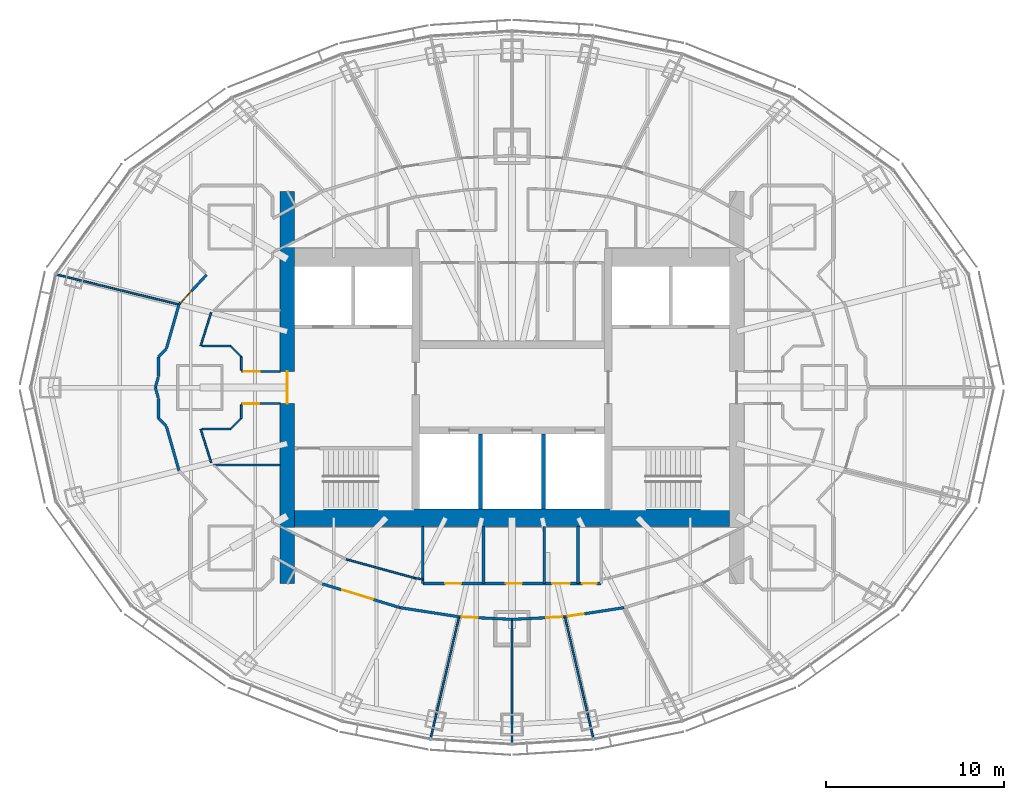
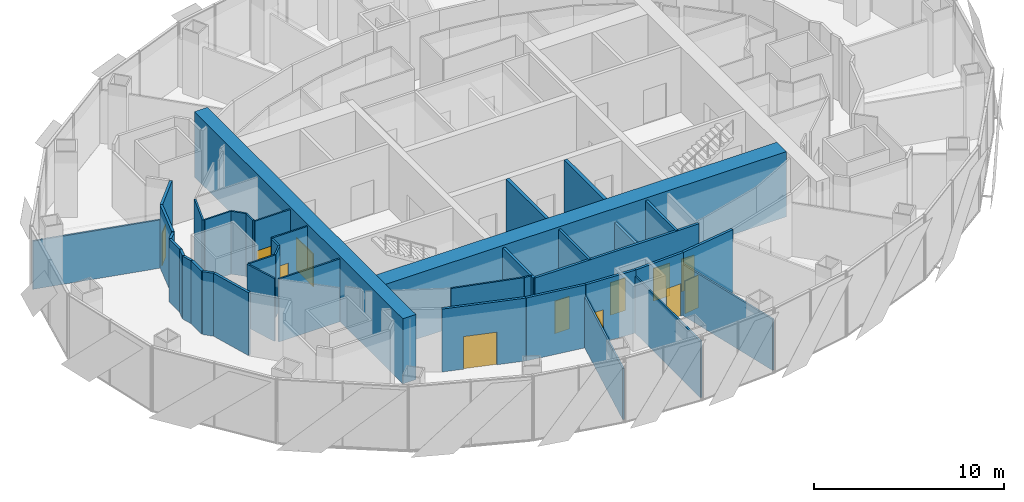
# One storey, part 12 of 19: 40 walls, 12 doors, 12 openings.
"""IFC4 building model written with IfcOpenShell, lengths in metres."""

from ifc_helpers import new_model, si_unit, direction, frame, frame_2d, origin, place, context, subcontext, project, spatial, rectangle, extrude, material, layer, layer_set, type_object, element, fill, save


model = new_model("IFC4")

# Units and contexts
model_context = context("Model", 3, precision=1e-05, world=origin(), true_north=direction((0.0, 1.0)))
body_context = subcontext(model_context, "Body", "Model", "MODEL_VIEW")
ifc_project = project(units=[si_unit("LENGTHUNIT", "METRE"), si_unit("AREAUNIT", "SQUARE_METRE"), si_unit("VOLUMEUNIT", "CUBIC_METRE"), si_unit("PLANEANGLEUNIT", "RADIAN"), si_unit("MASSUNIT", "GRAM", prefix="KILO")], contexts=[model_context])

# Site, building, storey
site_placement = place(None, origin())
site = spatial("IfcSite", under=ifc_project, at=site_placement, CompositionType="ELEMENT")
building_placement = place(site_placement, origin())
building = spatial("IfcBuilding", under=site, at=building_placement, Name="Lantaw Convention Tower", CompositionType="ELEMENT")
storey_placement = place(building_placement, frame((0.0, 0.0, 249.39990234375)))
storey = spatial("IfcBuildingStorey", under=building, at=storey_placement, Name="L58", CompositionType="ELEMENT", Elevation=249.39990234375)

# Wall
ifc_material_1 = material(Name="Concrete C60/75", Category="concrete")
ifc_layer_1 = layer(ifc_material_1, 1.0)
ifc_layer_set_1 = layer_set([ifc_layer_1], Name="Core wall 1000")
wall_type_1 = type_object("IfcWallType", Name="Core wall 1000", PredefinedType="SHEAR", material=ifc_layer_set_1)
wall_1_placement = place(storey_placement, frame((-12.199951171875, -7.300048828125, 0.0), z_axis=(0.0, 0.0, 1.0), x_axis=(1.0, 0.0, 0.0)))
element("IfcWall", 1, at=wall_1_placement, inside=storey, type_object=wall_type_1, Name="Core wall S", PredefinedType="SHEAR", context=body_context, shape_type="SweptSolid", body=[
    extrude(rectangle(XDim=24.39990234375, YDim=1.0, at=frame_2d((12.199951171875, 0.0))), origin(), (0.0, 0.0, 1.0), 4.2001953125),
])

# Wall, opening, door
ifc_layer_2 = layer(ifc_material_1, 0.800048828125)
ifc_layer_set_2 = layer_set([ifc_layer_2], Name="Core wall 800")
wall_type_2 = type_object("IfcWallType", Name="Core wall 800", PredefinedType="SHEAR", material=ifc_layer_set_2)
wall_2_placement = place(storey_placement, frame((-12.60009765625, 11.0, 0.0), z_axis=(0.0, 0.0, 1.0), x_axis=(0.0, -1.0, 0.0)))
wall_2 = element("IfcWall", 2, at=wall_2_placement, inside=storey, type_object=wall_type_2, Name="Core wall W", PredefinedType="SHEAR", context=body_context, shape_type="SweptSolid", body=[
    extrude(rectangle(XDim=22.0, YDim=0.800048828125, at=frame_2d((11.0, 0.0))), origin(), (0.0, 0.0, 1.0), 4.2001953125),
])
opening_1_placement = place(wall_2_placement, frame((10.10009765625, 0.0, 0.0)))
opening_1 = element("IfcOpeningElement", 3, at=opening_1_placement, cuts=wall_2, Name="Opening L58.06", PredefinedType="OPENING", context=body_context, shape_type="SweptSolid", body=[
    extrude(rectangle(XDim=1.800048828125, YDim=2.10009765625, at=frame_2d((0.89990234375, 1.050048828125))), frame((0.0, 0.409912109375, 0.0), z_axis=(0.0, -1.0, 0.0), x_axis=(1.0, 0.0, 0.0)), (0.0, 0.0, 1.0), 0.820068359375),
])
ifc_material_2 = material(Name="Steel, fire rated", Category="steel")
door_type_1 = type_object("IfcDoorType", Name="Lobby double door FD90", OperationType="DOUBLE_DOOR_DOUBLE_SWING", PredefinedType="DOOR", material=ifc_material_2)
door_1_placement = place(opening_1_placement, origin())
door_1 = element("IfcDoor", 4, at=door_1_placement, inside=storey, type_object=door_type_1, Name="Firefighting lobby door", OperationType="DOUBLE_DOOR_DOUBLE_SWING", OverallHeight=2.10009765625, OverallWidth=1.800048828125, PredefinedType="DOOR", context=body_context, shape_type="SweptSolid", body=[
    extrude(rectangle(XDim=1.800048828125, YDim=2.10009765625, at=frame_2d((0.89990234375, 1.050048828125))), frame((0.0, 0.02490234375, 0.0), z_axis=(0.0, -1.0, 0.0), x_axis=(1.0, 0.0, 0.0)), (0.0, 0.0, 1.0), 0.050048828125),
])
fill(opening_1, door_1)

ifc_material_3 = material(Name="Gypsum board on steel studs, fire rated", Category="steel")
ifc_layer_3 = layer(ifc_material_3, 0.14990234375)
ifc_layer_set_3 = layer_set([ifc_layer_3], Name="Corridor wall 150 EI 60")
wall_type_3 = type_object("IfcWallType", Name="Corridor wall 150 EI 60", PredefinedType="PARTITIONING", material=ifc_layer_set_3)
wall_3_placement = place(storey_placement, frame((-10.6328125, -11.010498046875, 0.0), z_axis=(0.0, 0.0, 1.0), x_axis=(0.956185837153, -0.292760388079, 0.0)))
wall_3 = element("IfcWall", 5, at=wall_3_placement, inside=storey, type_object=wall_type_3, Name="Corridor wall 150", PredefinedType="PARTITIONING", context=body_context, shape_type="SweptSolid", body=[
    extrude(rectangle(XDim=4.5439453125, YDim=0.14990234375, at=frame_2d((2.27197265625, 0.0))), origin(), (0.0, 0.0, 1.0), 4.050048828125),
])
opening_2_placement = place(wall_3_placement, frame((1.168212890625, 0.0, 0.0)))
opening_2 = element("IfcOpeningElement", 6, at=opening_2_placement, cuts=wall_3, Name="Opening L58.44", PredefinedType="OPENING", context=body_context, shape_type="SweptSolid", body=[
    extrude(rectangle(XDim=1.800048828125, YDim=2.10009765625, at=frame_2d((0.89990234375, 1.050048828125))), frame((0.0, 0.0849609375, 0.0), z_axis=(0.0, -1.0, 0.0), x_axis=(1.0, 0.0, 0.0)), (0.0, 0.0, 1.0), 0.169921875),
])
door_type_2 = type_object("IfcDoorType", Name="Office double door 1800 FD30", OperationType="DOUBLE_DOOR_DOUBLE_SWING", PredefinedType="DOOR", material=ifc_material_2)
door_2_placement = place(opening_2_placement, origin())
door_2 = element("IfcDoor", 7, at=door_2_placement, inside=storey, type_object=door_type_2, Name="Open office door", OperationType="DOUBLE_DOOR_DOUBLE_SWING", OverallHeight=2.10009765625, OverallWidth=1.800048828125, PredefinedType="DOOR", context=body_context, shape_type="SweptSolid", body=[
    extrude(rectangle(XDim=1.800048828125, YDim=2.10009765625, at=frame_2d((0.89990234375, 1.050048828125))), frame((0.0, 0.02490234375, 0.0), z_axis=(0.0, -1.0, 0.0), x_axis=(1.0, 0.0, 0.0)), (0.0, 0.0, 1.0), 0.050048828125),
])
fill(opening_2, door_2)

# Wall
wall_4_placement = place(storey_placement, frame((-6.287841796875, -12.3408203125, 0.0), z_axis=(0.0, 0.0, 1.0), x_axis=(0.988174283057, -0.153334882869, 0.0)))
element("IfcWall", 8, at=wall_4_placement, inside=storey, type_object=wall_type_3, Name="Corridor wall 150", PredefinedType="PARTITIONING", context=body_context, shape_type="SweptSolid", body=[
    extrude(rectangle(XDim=3.359619140625, YDim=0.14990234375, at=frame_2d((1.6796875, 0.0))), origin(), (0.0, 0.0, 1.0), 4.050048828125),
])

# Wall, opening, door
wall_5_placement = place(storey_placement, frame((-2.968017578125, -12.85595703125, 0.0), z_axis=(0.0, 0.0, 1.0), x_axis=(0.998824412818, -0.04847465687, 0.0)))
wall_5 = element("IfcWall", 9, at=wall_5_placement, inside=storey, type_object=wall_type_3, Name="Corridor wall 150", PredefinedType="PARTITIONING", context=body_context, shape_type="SweptSolid", body=[
    extrude(rectangle(XDim=2.971435546875, YDim=0.14990234375, at=frame_2d((1.48583984375, 0.0))), origin(), (0.0, 0.0, 1.0), 4.050048828125),
])
opening_3_placement = place(wall_5_placement, frame((0.14990234375, 0.0, 0.0)))
opening_3 = element("IfcOpeningElement", 10, at=opening_3_placement, cuts=wall_5, Name="Opening L58.45", PredefinedType="OPENING", context=body_context, shape_type="SweptSolid", body=[
    extrude(rectangle(XDim=0.89990234375, YDim=2.10009765625, at=frame_2d((0.449951171875, 1.050048828125))), frame((0.0, 0.0849609375, 0.0), z_axis=(0.0, -1.0, 0.0), x_axis=(1.0, 0.0, 0.0)), (0.0, 0.0, 1.0), 0.169921875),
])
door_type_3 = type_object("IfcDoorType", Name="Office door 900 FD30", OperationType="SINGLE_SWING_LEFT", PredefinedType="DOOR", material=ifc_material_2)
door_3_placement = place(opening_3_placement, origin())
door_3 = element("IfcDoor", 11, at=door_3_placement, inside=storey, type_object=door_type_3, Name="Private office door", OperationType="SINGLE_SWING_LEFT", OverallHeight=2.10009765625, OverallWidth=0.89990234375, PredefinedType="DOOR", context=body_context, shape_type="SweptSolid", body=[
    extrude(rectangle(XDim=0.89990234375, YDim=2.10009765625, at=frame_2d((0.449951171875, 1.050048828125))), frame((0.0, 0.02490234375, 0.0), z_axis=(0.0, -1.0, 0.0), x_axis=(1.0, 0.0, 0.0)), (0.0, 0.0, 1.0), 0.050048828125),
])
fill(opening_3, door_3)

wall_6_placement = place(storey_placement, frame((0.0, -13.0, 0.0), z_axis=(0.0, 0.0, 1.0), x_axis=(0.998824412818, 0.04847465687, 0.0)))
wall_6 = element("IfcWall", 12, at=wall_6_placement, inside=storey, type_object=wall_type_3, Name="Corridor wall 150", PredefinedType="PARTITIONING", context=body_context, shape_type="SweptSolid", body=[
    extrude(rectangle(XDim=2.971435546875, YDim=0.14990234375, at=frame_2d((1.48583984375, 0.0))), origin(), (0.0, 0.0, 1.0), 4.050048828125),
])
opening_4_placement = place(wall_6_placement, frame((1.92138671875, 0.0, 0.0)))
opening_4 = element("IfcOpeningElement", 13, at=opening_4_placement, cuts=wall_6, Name="Opening L58.46", PredefinedType="OPENING", context=body_context, shape_type="SweptSolid", body=[
    extrude(rectangle(XDim=0.89990234375, YDim=2.10009765625, at=frame_2d((0.449951171875, 1.050048828125))), frame((0.0, 0.0849609375, 0.0), z_axis=(0.0, -1.0, 0.0), x_axis=(1.0, 0.0, 0.0)), (0.0, 0.0, 1.0), 0.169921875),
])
door_4_placement = place(opening_4_placement, origin())
door_4 = element("IfcDoor", 14, at=door_4_placement, inside=storey, type_object=door_type_3, Name="Private office door", OperationType="SINGLE_SWING_LEFT", OverallHeight=2.10009765625, OverallWidth=0.89990234375, PredefinedType="DOOR", context=body_context, shape_type="SweptSolid", body=[
    extrude(rectangle(XDim=0.89990234375, YDim=2.10009765625, at=frame_2d((0.449951171875, 1.050048828125))), frame((0.0, 0.02490234375, 0.0), z_axis=(0.0, -1.0, 0.0), x_axis=(1.0, 0.0, 0.0)), (0.0, 0.0, 1.0), 0.050048828125),
])
fill(opening_4, door_4)

wall_7_placement = place(storey_placement, frame((2.968017578125, -12.85595703125, 0.0), z_axis=(0.0, 0.0, 1.0), x_axis=(0.988174283057, 0.153334882869, 0.0)))
wall_7 = element("IfcWall", 15, at=wall_7_placement, inside=storey, type_object=wall_type_3, Name="Corridor wall 150", PredefinedType="PARTITIONING", context=body_context, shape_type="SweptSolid", body=[
    extrude(rectangle(XDim=3.359619140625, YDim=0.14990234375, at=frame_2d((1.6796875, 0.0))), origin(), (0.0, 0.0, 1.0), 4.050048828125),
])
opening_5_placement = place(wall_7_placement, frame((0.14990234375, 0.0, 0.0)))
opening_5 = element("IfcOpeningElement", 16, at=opening_5_placement, cuts=wall_7, Name="Opening L58.47", PredefinedType="OPENING", context=body_context, shape_type="SweptSolid", body=[
    extrude(rectangle(XDim=0.89990234375, YDim=2.10009765625, at=frame_2d((0.449951171875, 1.050048828125))), frame((0.0, 0.0849609375, 0.0), z_axis=(0.0, -1.0, 0.0), x_axis=(1.0, 0.0, 0.0)), (0.0, 0.0, 1.0), 0.169921875),
])
door_5_placement = place(opening_5_placement, origin())
door_5 = element("IfcDoor", 17, at=door_5_placement, inside=storey, type_object=door_type_3, Name="Private office door", OperationType="SINGLE_SWING_LEFT", OverallHeight=2.10009765625, OverallWidth=0.89990234375, PredefinedType="DOOR", context=body_context, shape_type="SweptSolid", body=[
    extrude(rectangle(XDim=0.89990234375, YDim=2.10009765625, at=frame_2d((0.449951171875, 1.050048828125))), frame((0.0, 0.02490234375, 0.0), z_axis=(0.0, -1.0, 0.0), x_axis=(1.0, 0.0, 0.0)), (0.0, 0.0, 1.0), 0.050048828125),
])
fill(opening_5, door_5)

# Walls
wall_8_placement = place(storey_placement, frame((-18.67333984375, 4.65576171875, 0.0), z_axis=(0.0, 0.0, 1.0), x_axis=(-0.274067949327, -0.961710330168, 0.0)))
element("IfcWall", 18, at=wall_8_placement, inside=storey, type_object=wall_type_3, Name="Corridor wall 150", PredefinedType="PARTITIONING", context=body_context, shape_type="SweptSolid", body=[
    extrude(rectangle(XDim=2.5673828125, YDim=0.14990234375, at=frame_2d((1.28369140625, 0.0))), origin(), (0.0, 0.0, 1.0), 4.050048828125),
])
for number, where, z_axis, x_axis, name in (
    (19, (-19.8349609375, 0.5791015625, 0.0), (0.0, 0.0, 1.0), (-0.27407847996, -0.961707329089, 0.0), "Corridor wall 150"),
    (20, (-20.0, 0.0, 0.0), (0.0, 0.0, 1.0), (0.27407847996, -0.961707329089, 0.0), "Corridor wall 150"),
):
    element("IfcWall", number, at=place(storey_placement, frame(where, z_axis=z_axis, x_axis=x_axis)), inside=storey, type_object=wall_type_3, Name=name, PredefinedType="PARTITIONING", context=body_context, shape_type="SweptSolid", body=[
        extrude(rectangle(XDim=0.60205078125, YDim=0.14990234375, at=frame_2d((0.301025390625, 0.0))), origin(), (0.0, 0.0, 1.0), 4.050048828125),
    ])
wall_9_placement = place(storey_placement, frame((-19.376953125, -2.186767578125, 0.0), z_axis=(0.0, 0.0, 1.0), x_axis=(0.274067949327, -0.961710330168, 0.0)))
element("IfcWall", 21, at=wall_9_placement, inside=storey, type_object=wall_type_3, Name="Corridor wall 150", PredefinedType="PARTITIONING", context=body_context, shape_type="SweptSolid", body=[
    extrude(rectangle(XDim=2.5673828125, YDim=0.14990234375, at=frame_2d((1.28369140625, 0.0))), origin(), (0.0, 0.0, 1.0), 4.050048828125),
])
for number, where, z_axis, x_axis, name in (
    (22, (-19.824951171875, -1.724609375, 0.0), (0.0, 0.0, 1.0), (0.0, 1.0, 0.0), "Corridor wall 150"),
    (23, (-19.824951171875, 0.607421875, 0.0), (0.0, 0.0, 1.0), (0.0, 1.0, 0.0), "Corridor wall 150"),
):
    element("IfcWall", number, at=place(storey_placement, frame(where, z_axis=z_axis, x_axis=x_axis)), inside=storey, type_object=wall_type_3, Name=name, PredefinedType="PARTITIONING", context=body_context, shape_type="SweptSolid", body=[
        extrude(rectangle(XDim=1.1171875, YDim=0.14990234375, at=frame_2d((0.55859375, 0.0))), origin(), (0.0, 0.0, 1.0), 4.050048828125),
    ])
for number, where, z_axis, x_axis, name in (
    (24, (-19.824951171875, 1.724609375, 0.0), (0.0, 0.0, 1.0), (0.707106781187, 0.707106781187, 0.0), "Corridor wall 150"),
    (25, (-19.39013671875, -2.159423828125, 0.0), (0.0, 0.0, 1.0), (-0.707106781187, 0.707106781187, 0.0), "Corridor wall 150"),
):
    element("IfcWall", number, at=place(storey_placement, frame(where, z_axis=z_axis, x_axis=x_axis)), inside=storey, type_object=wall_type_3, Name=name, PredefinedType="PARTITIONING", context=body_context, shape_type="SweptSolid", body=[
        extrude(rectangle(XDim=0.614990234375, YDim=0.14990234375, at=frame_2d((0.3076171875, 0.0))), origin(), (0.0, 0.0, 1.0), 4.050048828125),
    ])

# Wall, opening, door
wall_10_placement = place(storey_placement, frame((-17.121337890625, 6.32470703125, 0.0), z_axis=(0.0, 0.0, 1.0), x_axis=(-0.680985069419, -0.732297299755, 0.0)))
wall_10 = element("IfcWall", 26, at=wall_10_placement, inside=storey, type_object=wall_type_3, Name="Corridor wall 150", PredefinedType="PARTITIONING", context=body_context, shape_type="SweptSolid", body=[
    extrude(rectangle(XDim=2.279052734375, YDim=0.14990234375, at=frame_2d((1.1396484375, 0.0))), origin(), (0.0, 0.0, 1.0), 4.050048828125),
])
opening_6_placement = place(wall_10_placement, frame((1.25, 0.0, 0.0)))
opening_6 = element("IfcOpeningElement", 27, at=opening_6_placement, cuts=wall_10, Name="Opening L58.43", PredefinedType="OPENING", context=body_context, shape_type="SweptSolid", body=[
    extrude(rectangle(XDim=0.89990234375, YDim=2.10009765625, at=frame_2d((0.449951171875, 1.050048828125))), frame((0.0, 0.0849609375, 0.0), z_axis=(0.0, -1.0, 0.0), x_axis=(1.0, 0.0, 0.0)), (0.0, 0.0, 1.0), 0.169921875),
])
door_6_placement = place(opening_6_placement, origin())
door_6 = element("IfcDoor", 28, at=door_6_placement, inside=storey, type_object=door_type_3, Name="Meeting room door", OperationType="SINGLE_SWING_LEFT", OverallHeight=2.10009765625, OverallWidth=0.89990234375, PredefinedType="DOOR", context=body_context, shape_type="SweptSolid", body=[
    extrude(rectangle(XDim=0.89990234375, YDim=2.10009765625, at=frame_2d((0.449951171875, 1.050048828125))), frame((0.0, 0.02490234375, 0.0), z_axis=(0.0, -1.0, 0.0), x_axis=(1.0, 0.0, 0.0)), (0.0, 0.0, 1.0), 0.050048828125),
])
fill(opening_6, door_6)

# Walls
ifc_material_4 = material(Name="Gypsum board on steel studs, acoustic", Category="steel")
ifc_layer_4 = layer(ifc_material_4, 0.10009765625)
ifc_layer_set_4 = layer_set([ifc_layer_4], Name="Office partition 100")
wall_type_4 = type_object("IfcWallType", Name="Office partition 100", PredefinedType="PARTITIONING", material=ifc_layer_set_4)
wall_11_placement = place(storey_placement, frame((-25.54296875, 6.33544921875, 0.0), z_axis=(0.0, 0.0, 1.0), x_axis=(0.971384494438, -0.237512450129, 0.0)))
element("IfcWall", 29, at=wall_11_placement, inside=storey, type_object=wall_type_4, Name="Office partition 100", PredefinedType="PARTITIONING", context=body_context, shape_type="SweptSolid", body=[
    extrude(rectangle(XDim=7.072021484375, YDim=0.10009765625, at=frame_2d((3.5361328125, 0.0))), origin(), (0.0, 0.0, 1.0), 3.107666015625),
])
wall_12_placement = place(storey_placement, frame((-4.5556640625, -19.65673828125, 0.0), z_axis=(0.0, 0.0, 1.0), x_axis=(0.22733791689, 0.973815933092, 0.0)))
element("IfcWall", 30, at=wall_12_placement, inside=storey, type_object=wall_type_4, Name="Office partition 100", PredefinedType="PARTITIONING", context=body_context, shape_type="SweptSolid", body=[
    extrude(rectangle(XDim=6.983642578125, YDim=0.10009765625, at=frame_2d((3.49169921875, 0.0))), origin(), (0.0, 0.0, 1.0), 3.293212890625),
])
wall_13_placement = place(storey_placement, frame((0.0, -19.94482421875, 0.0), z_axis=(0.0, 0.0, 1.0), x_axis=(0.0, 1.0, 0.0)))
element("IfcWall", 31, at=wall_13_placement, inside=storey, type_object=wall_type_4, Name="Office partition 100", PredefinedType="PARTITIONING", context=body_context, shape_type="SweptSolid", body=[
    extrude(rectangle(XDim=6.94482421875, YDim=0.10009765625, at=frame_2d((3.472412109375, 0.0))), origin(), (0.0, 0.0, 1.0), 3.643798828125),
])
wall_14_placement = place(storey_placement, frame((4.5556640625, -19.65673828125, 0.0), z_axis=(0.0, 0.0, 1.0), x_axis=(-0.22733791689, 0.973815933092, 0.0)))
element("IfcWall", 32, at=wall_14_placement, inside=storey, type_object=wall_type_4, Name="Office partition 100", PredefinedType="PARTITIONING", context=body_context, shape_type="SweptSolid", body=[
    extrude(rectangle(XDim=6.983642578125, YDim=0.10009765625, at=frame_2d((3.49169921875, 0.0))), origin(), (0.0, 0.0, 1.0), 3.293212890625),
])
wall_15_placement = place(storey_placement, frame((-16.729248046875, -4.340087890625, 0.0), z_axis=(0.0, 0.0, 1.0), x_axis=(1.0, 0.0, 0.0)))
element("IfcWall", 33, at=wall_15_placement, inside=storey, type_object=wall_type_4, Name="Office partition 100", PredefinedType="PARTITIONING", context=body_context, shape_type="SweptSolid", body=[
    extrude(rectangle(XDim=3.729248046875, YDim=0.10009765625, at=frame_2d((1.86474609375, 0.0))), origin(), (0.0, 0.0, 1.0), 4.050048828125),
])
wall_16_placement = place(storey_placement, frame((-5.0, -10.7490234375, 0.0), z_axis=(0.0, 0.0, 1.0), x_axis=(-0.990442882696, 0.137923515463, 0.0)))
element("IfcWall", 34, at=wall_16_placement, inside=storey, type_object=wall_type_4, Name="Office partition 100", PredefinedType="PARTITIONING", context=body_context, shape_type="SweptSolid", body=[
    extrude(rectangle(XDim=0.44970703125, YDim=0.10009765625, at=frame_2d((0.224853515625, 0.0))), origin(), (0.0, 0.0, 1.0), 4.050048828125),
])
wall_17_placement = place(storey_placement, frame((-5.4453125, -10.68701171875, 0.0), z_axis=(0.0, 0.0, 1.0), x_axis=(-0.964244438722, 0.265014456954, 0.0)))
element("IfcWall", 35, at=wall_17_placement, inside=storey, type_object=wall_type_4, Name="Office partition 100", PredefinedType="PARTITIONING", context=body_context, shape_type="SweptSolid", body=[
    extrude(rectangle(XDim=3.995361328125, YDim=0.10009765625, at=frame_2d((1.99755859375, 0.0))), origin(), (0.0, 0.0, 1.0), 4.050048828125),
])
wall_18_placement = place(storey_placement, frame((-16.8681640625, -4.205810546875, 0.0), z_axis=(0.0, 0.0, 1.0), x_axis=(-0.301821975729, 0.953364303384, 0.0)))
element("IfcWall", 36, at=wall_18_placement, inside=storey, type_object=wall_type_4, Name="Office partition 100", PredefinedType="PARTITIONING", context=body_context, shape_type="SweptSolid", body=[
    extrude(rectangle(XDim=1.96240234375, YDim=0.10009765625, at=frame_2d((0.981201171875, 0.0))), origin(), (0.0, 0.0, 1.0), 4.050048828125),
])

# Wall, opening, door
wall_19_placement = place(storey_placement, frame((-15.1650390625, -0.89990234375, 0.0), z_axis=(0.0, 0.0, 1.0), x_axis=(1.0, 0.0, 0.0)))
wall_19 = element("IfcWall", 37, at=wall_19_placement, inside=storey, type_object=wall_type_4, Name="Office partition 100", PredefinedType="PARTITIONING", context=body_context, shape_type="SweptSolid", body=[
    extrude(rectangle(XDim=2.1650390625, YDim=0.10009765625, at=frame_2d((1.08251953125, 0.0))), origin(), (0.0, 0.0, 1.0), 4.050048828125),
])
opening_7_placement = place(wall_19_placement, frame((0.10009765625, 0.0, 0.0)))
opening_7 = element("IfcOpeningElement", 38, at=opening_7_placement, cuts=wall_19, Name="Opening L58.23", PredefinedType="OPENING", context=body_context, shape_type="SweptSolid", body=[
    extrude(rectangle(XDim=0.89990234375, YDim=2.10009765625, at=frame_2d((0.449951171875, 1.050048828125))), frame((0.0, 0.06005859375, 0.0), z_axis=(0.0, -1.0, 0.0), x_axis=(1.0, 0.0, 0.0)), (0.0, 0.0, 1.0), 0.1201171875),
])
ifc_material_5 = material(Name="Timber", Category="wood")
door_type_4 = type_object("IfcDoorType", Name="Office door 900", OperationType="SINGLE_SWING_LEFT", PredefinedType="DOOR", material=ifc_material_5)
door_7_placement = place(opening_7_placement, origin())
door_7 = element("IfcDoor", 39, at=door_7_placement, inside=storey, type_object=door_type_4, Name="Project room door", OperationType="SINGLE_SWING_LEFT", OverallHeight=2.10009765625, OverallWidth=0.89990234375, PredefinedType="DOOR", context=body_context, shape_type="SweptSolid", body=[
    extrude(rectangle(XDim=0.89990234375, YDim=2.10009765625, at=frame_2d((0.449951171875, 1.050048828125))), frame((0.0, 0.02490234375, 0.0), z_axis=(0.0, -1.0, 0.0), x_axis=(1.0, 0.0, 0.0)), (0.0, 0.0, 1.0), 0.050048828125),
])
fill(opening_7, door_7)

# Wall
wall_20_placement = place(storey_placement, frame((-17.46044921875, 2.3349609375, 0.0), z_axis=(0.0, 0.0, 1.0), x_axis=(0.301821975729, 0.953364303384, 0.0)))
element("IfcWall", 40, at=wall_20_placement, inside=storey, type_object=wall_type_4, Name="Office partition 100", PredefinedType="PARTITIONING", context=body_context, shape_type="SweptSolid", body=[
    extrude(rectangle(XDim=1.96240234375, YDim=0.10009765625, at=frame_2d((0.981201171875, 0.0))), origin(), (0.0, 0.0, 1.0), 4.050048828125),
])

# Wall, opening, door
wall_21_placement = place(storey_placement, frame((-13.0, 0.89990234375, 0.0), z_axis=(0.0, 0.0, 1.0), x_axis=(-1.0, 0.0, 0.0)))
wall_21 = element("IfcWall", 41, at=wall_21_placement, inside=storey, type_object=wall_type_4, Name="Office partition 100", PredefinedType="PARTITIONING", context=body_context, shape_type="SweptSolid", body=[
    extrude(rectangle(XDim=2.1650390625, YDim=0.10009765625, at=frame_2d((1.08251953125, 0.0))), origin(), (0.0, 0.0, 1.0), 4.050048828125),
])
opening_8_placement = place(wall_21_placement, frame((1.14990234375, 0.0, 0.0)))
opening_8 = element("IfcOpeningElement", 42, at=opening_8_placement, cuts=wall_21, Name="Opening L58.34", PredefinedType="OPENING", context=body_context, shape_type="SweptSolid", body=[
    extrude(rectangle(XDim=0.89990234375, YDim=2.10009765625, at=frame_2d((0.449951171875, 1.050048828125))), frame((0.0, 0.06005859375, 0.0), z_axis=(0.0, -1.0, 0.0), x_axis=(1.0, 0.0, 0.0)), (0.0, 0.0, 1.0), 0.1201171875),
])
door_8_placement = place(opening_8_placement, origin())
door_8 = element("IfcDoor", 43, at=door_8_placement, inside=storey, type_object=door_type_4, Name="Copy and print room door", OperationType="SINGLE_SWING_LEFT", OverallHeight=2.10009765625, OverallWidth=0.89990234375, PredefinedType="DOOR", context=body_context, shape_type="SweptSolid", body=[
    extrude(rectangle(XDim=0.89990234375, YDim=2.10009765625, at=frame_2d((0.449951171875, 1.050048828125))), frame((0.0, 0.02490234375, 0.0), z_axis=(0.0, -1.0, 0.0), x_axis=(1.0, 0.0, 0.0)), (0.0, 0.0, 1.0), 0.050048828125),
])
fill(opening_8, door_8)

# Walls
wall_22_placement = place(storey_placement, frame((-15.175048828125, -0.978271484375, 0.0), z_axis=(0.0, 0.0, 1.0), x_axis=(0.0, -1.0, 0.0)))
element("IfcWall", 44, at=wall_22_placement, inside=storey, type_object=wall_type_4, Name="Office partition 100", PredefinedType="PARTITIONING", context=body_context, shape_type="SweptSolid", body=[
    extrude(rectangle(XDim=0.746337890625, YDim=0.10009765625, at=frame_2d((0.373046875, 0.0))), origin(), (0.0, 0.0, 1.0), 4.050048828125),
])
wall_23_placement = place(storey_placement, frame((-15.175048828125, -1.724609375, 0.0), z_axis=(0.0, 0.0, 1.0), x_axis=(-0.707106781187, -0.707106781187, 0.0)))
element("IfcWall", 45, at=wall_23_placement, inside=storey, type_object=wall_type_4, Name="Office partition 100", PredefinedType="PARTITIONING", context=body_context, shape_type="SweptSolid", body=[
    extrude(rectangle(XDim=0.84912109375, YDim=0.10009765625, at=frame_2d((0.424560546875, 0.0))), origin(), (0.0, 0.0, 1.0), 4.050048828125),
])
for number, where, z_axis, x_axis, name in (
    (46, (-15.775390625, -2.324951171875, 0.0), (0.0, 0.0, 1.0), (-1.0, 0.0, 0.0), "Office partition 100"),
    (47, (-17.3798828125, 2.324951171875, 0.0), (0.0, 0.0, 1.0), (1.0, 0.0, 0.0), "Office partition 100"),
):
    element("IfcWall", number, at=place(storey_placement, frame(where, z_axis=z_axis, x_axis=x_axis)), inside=storey, type_object=wall_type_4, Name=name, PredefinedType="PARTITIONING", context=body_context, shape_type="SweptSolid", body=[
        extrude(rectangle(XDim=1.6044921875, YDim=0.10009765625, at=frame_2d((0.80224609375, 0.0))), origin(), (0.0, 0.0, 1.0), 4.050048828125),
    ])
wall_24_placement = place(storey_placement, frame((-15.775390625, 2.324951171875, 0.0), z_axis=(0.0, 0.0, 1.0), x_axis=(0.707106781187, -0.707106781187, 0.0)))
element("IfcWall", 48, at=wall_24_placement, inside=storey, type_object=wall_type_4, Name="Office partition 100", PredefinedType="PARTITIONING", context=body_context, shape_type="SweptSolid", body=[
    extrude(rectangle(XDim=0.84912109375, YDim=0.10009765625, at=frame_2d((0.424560546875, 0.0))), origin(), (0.0, 0.0, 1.0), 4.050048828125),
])
wall_25_placement = place(storey_placement, frame((-15.175048828125, 1.724609375, 0.0), z_axis=(0.0, 0.0, 1.0), x_axis=(0.0, -1.0, 0.0)))
element("IfcWall", 49, at=wall_25_placement, inside=storey, type_object=wall_type_4, Name="Office partition 100", PredefinedType="PARTITIONING", context=body_context, shape_type="SweptSolid", body=[
    extrude(rectangle(XDim=0.746337890625, YDim=0.10009765625, at=frame_2d((0.373046875, 0.0))), origin(), (0.0, 0.0, 1.0), 4.050048828125),
])
ifc_material_6 = material(Name="Concrete blockwork, fire rated", Category="masonry")
ifc_layer_5 = layer(ifc_material_6, 0.199951171875)
ifc_layer_set_5 = layer_set([ifc_layer_5], Name="Shaft wall 200 load-bearing")
wall_type_5 = type_object("IfcWallType", Name="Shaft wall 200 load-bearing", PredefinedType="SOLIDWALL", material=ifc_layer_set_5)
for number, where, z_axis, x_axis, name in (
    (50, (-1.7666015625, -2.60009765625, 0.0), (0.0, 0.0, 1.0), (0.0, -1.0, 0.0), "Shaft wall DS1"),
    (51, (1.7666015625, -2.60009765625, 0.0), (0.0, 0.0, 1.0), (0.0, -1.0, 0.0), "Shaft wall DS2"),
):
    element("IfcWall", number, at=place(storey_placement, frame(where, z_axis=z_axis, x_axis=x_axis)), inside=storey, type_object=wall_type_5, Name=name, PredefinedType="SOLIDWALL", context=body_context, shape_type="SweptSolid", body=[
        extrude(rectangle(XDim=4.199951171875, YDim=0.199951171875, at=frame_2d((2.10009765625, 0.0))), origin(), (0.0, 0.0, 1.0), 4.2001953125),
    ])

# Wall, openings, doors
ifc_material_7 = material(Name="Concrete blockwork", Category="masonry")
ifc_layer_6 = layer(ifc_material_7, 0.14990234375)
ifc_layer_set_6 = layer_set([ifc_layer_6], Name="WC wall 150")
wall_type_6 = type_object("IfcWallType", Name="WC wall 150", PredefinedType="SOLIDWALL", material=ifc_layer_set_6)
wall_26_placement = place(storey_placement, frame((-5.0, -10.987060546875, 0.0), z_axis=(0.0, 0.0, 1.0), x_axis=(1.0, 0.0, 0.0)))
wall_26 = element("IfcWall", 52, at=wall_26_placement, inside=storey, type_object=wall_type_6, Name="WC wall 150", PredefinedType="SOLIDWALL", context=body_context, shape_type="SweptSolid", body=[
    extrude(rectangle(XDim=10.0, YDim=0.14990234375, at=frame_2d((5.0, 0.0))), origin(), (0.0, 0.0, 1.0), 4.050048828125),
])
opening_9_placement = place(wall_26_placement, frame((1.25, 0.0, 0.0)))
opening_9 = element("IfcOpeningElement", 53, at=opening_9_placement, cuts=wall_26, Name="Opening L58.18", PredefinedType="OPENING", context=body_context, shape_type="SweptSolid", body=[
    extrude(rectangle(XDim=0.89990234375, YDim=2.10009765625, at=frame_2d((0.449951171875, 1.050048828125))), frame((0.0, 0.0849609375, 0.0), z_axis=(0.0, -1.0, 0.0), x_axis=(1.0, 0.0, 0.0)), (0.0, 0.0, 1.0), 0.169921875),
])
opening_10_placement = place(wall_26_placement, frame((4.64990234375, 0.0, 0.0)))
opening_10 = element("IfcOpeningElement", 54, at=opening_10_placement, cuts=wall_26, Name="Opening L58.19", PredefinedType="OPENING", context=body_context, shape_type="SweptSolid", body=[
    extrude(rectangle(XDim=0.89990234375, YDim=2.10009765625, at=frame_2d((0.449951171875, 1.050048828125))), frame((0.0, 0.0849609375, 0.0), z_axis=(0.0, -1.0, 0.0), x_axis=(1.0, 0.0, 0.0)), (0.0, 0.0, 1.0), 0.169921875),
])
opening_11_placement = place(wall_26_placement, frame((7.25, 0.0, 0.0)))
opening_11 = element("IfcOpeningElement", 55, at=opening_11_placement, cuts=wall_26, Name="Opening L58.20", PredefinedType="OPENING", context=body_context, shape_type="SweptSolid", body=[
    extrude(rectangle(XDim=1.0, YDim=2.10009765625, at=frame_2d((0.5, 1.050048828125))), frame((0.0, 0.0849609375, 0.0), z_axis=(0.0, -1.0, 0.0), x_axis=(1.0, 0.0, 0.0)), (0.0, 0.0, 1.0), 0.169921875),
])
opening_12_placement = place(wall_26_placement, frame((8.949951171875, 0.0, 0.0)))
opening_12 = element("IfcOpeningElement", 56, at=opening_12_placement, cuts=wall_26, Name="Opening L58.21", PredefinedType="OPENING", context=body_context, shape_type="SweptSolid", body=[
    extrude(rectangle(XDim=0.800048828125, YDim=2.10009765625, at=frame_2d((0.39990234375, 1.050048828125))), frame((0.0, 0.0849609375, 0.0), z_axis=(0.0, -1.0, 0.0), x_axis=(1.0, 0.0, 0.0)), (0.0, 0.0, 1.0), 0.169921875),
])
door_type_5 = type_object("IfcDoorType", Name="Accessible WC door 1000", OperationType="SINGLE_SWING_LEFT", PredefinedType="DOOR", material=ifc_material_5)
door_9_placement = place(opening_11_placement, origin())
door_9 = element("IfcDoor", 57, at=door_9_placement, inside=storey, type_object=door_type_5, Name="Accessible WC door", OperationType="SINGLE_SWING_LEFT", OverallHeight=2.10009765625, OverallWidth=1.0, PredefinedType="DOOR", context=body_context, shape_type="SweptSolid", body=[
    extrude(rectangle(XDim=1.0, YDim=2.10009765625, at=frame_2d((0.5, 1.050048828125))), frame((0.0, 0.02490234375, 0.0), z_axis=(0.0, -1.0, 0.0), x_axis=(1.0, 0.0, 0.0)), (0.0, 0.0, 1.0), 0.050048828125),
])
fill(opening_11, door_9)
door_type_6 = type_object("IfcDoorType", Name="WC door 800", OperationType="SINGLE_SWING_LEFT", PredefinedType="DOOR", material=ifc_material_5)
door_10_placement = place(opening_12_placement, origin())
door_10 = element("IfcDoor", 58, at=door_10_placement, inside=storey, type_object=door_type_6, Name="Pantry door", OperationType="SINGLE_SWING_LEFT", OverallHeight=2.10009765625, OverallWidth=0.800048828125, PredefinedType="DOOR", context=body_context, shape_type="SweptSolid", body=[
    extrude(rectangle(XDim=0.800048828125, YDim=2.10009765625, at=frame_2d((0.39990234375, 1.050048828125))), frame((0.0, 0.02490234375, 0.0), z_axis=(0.0, -1.0, 0.0), x_axis=(1.0, 0.0, 0.0)), (0.0, 0.0, 1.0), 0.050048828125),
])
fill(opening_12, door_10)
door_type_7 = type_object("IfcDoorType", Name="WC door 900", OperationType="SINGLE_SWING_LEFT", PredefinedType="DOOR", material=ifc_material_5)
door_11_placement = place(opening_9_placement, origin())
door_11 = element("IfcDoor", 59, at=door_11_placement, inside=storey, type_object=door_type_7, Name="Female WC door", OperationType="SINGLE_SWING_LEFT", OverallHeight=2.10009765625, OverallWidth=0.89990234375, PredefinedType="DOOR", context=body_context, shape_type="SweptSolid", body=[
    extrude(rectangle(XDim=0.89990234375, YDim=2.10009765625, at=frame_2d((0.449951171875, 1.050048828125))), frame((0.0, 0.02490234375, 0.0), z_axis=(0.0, -1.0, 0.0), x_axis=(1.0, 0.0, 0.0)), (0.0, 0.0, 1.0), 0.050048828125),
])
fill(opening_9, door_11)
door_12_placement = place(opening_10_placement, origin())
door_12 = element("IfcDoor", 60, at=door_12_placement, inside=storey, type_object=door_type_7, Name="Male WC door", OperationType="SINGLE_SWING_LEFT", OverallHeight=2.10009765625, OverallWidth=0.89990234375, PredefinedType="DOOR", context=body_context, shape_type="SweptSolid", body=[
    extrude(rectangle(XDim=0.89990234375, YDim=2.10009765625, at=frame_2d((0.449951171875, 1.050048828125))), frame((0.0, 0.02490234375, 0.0), z_axis=(0.0, -1.0, 0.0), x_axis=(1.0, 0.0, 0.0)), (0.0, 0.0, 1.0), 0.050048828125),
])
fill(opening_10, door_12)

# Walls
for number, where, z_axis, x_axis, name in (
    (61, (-5.0, -7.800048828125, 0.0), (0.0, 0.0, 1.0), (0.0, -1.0, 0.0), "WC wall 150"),
    (62, (-1.60009765625, -7.800048828125, 0.0), (0.0, 0.0, 1.0), (0.0, -1.0, 0.0), "WC wall 150"),
):
    element("IfcWall", number, at=place(storey_placement, frame(where, z_axis=z_axis, x_axis=x_axis)), inside=storey, type_object=wall_type_6, Name=name, PredefinedType="SOLIDWALL", context=body_context, shape_type="SweptSolid", body=[
        extrude(rectangle(XDim=3.18701171875, YDim=0.14990234375, at=frame_2d((1.593505859375, 0.0))), origin(), (0.0, 0.0, 1.0), 4.050048828125),
    ])
wall_27_placement = place(storey_placement, frame((1.800048828125, -7.800048828125, 0.0), z_axis=(0.0, 0.0, 1.0), x_axis=(0.0, -1.0, 0.0)))
element("IfcWall", 63, at=wall_27_placement, inside=storey, type_object=wall_type_6, Name="WC wall 150", PredefinedType="SOLIDWALL", context=body_context, shape_type="SweptSolid", body=[
    extrude(rectangle(XDim=3.18701171875, YDim=0.14990234375, at=frame_2d((1.593505859375, 0.0))), origin(), (0.0, 0.0, 1.0), 3.293212890625),
])
wall_28_placement = place(storey_placement, frame((3.699951171875, -7.800048828125, 0.0), z_axis=(0.0, 0.0, 1.0), x_axis=(0.0, -1.0, 0.0)))
element("IfcWall", 64, at=wall_28_placement, inside=storey, type_object=wall_type_6, Name="WC wall 150", PredefinedType="SOLIDWALL", context=body_context, shape_type="SweptSolid", body=[
    extrude(rectangle(XDim=3.18701171875, YDim=0.14990234375, at=frame_2d((1.593505859375, 0.0))), origin(), (0.0, 0.0, 1.0), 4.050048828125),
])

save(model, "model.ifc")
